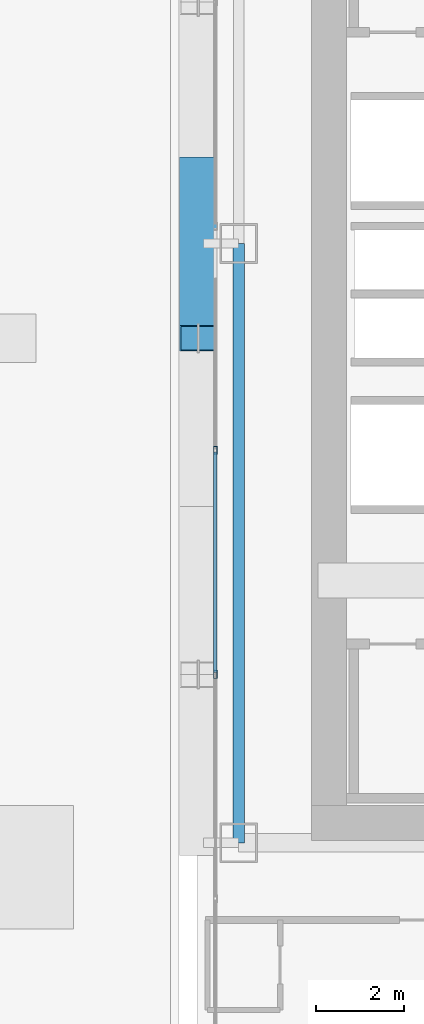
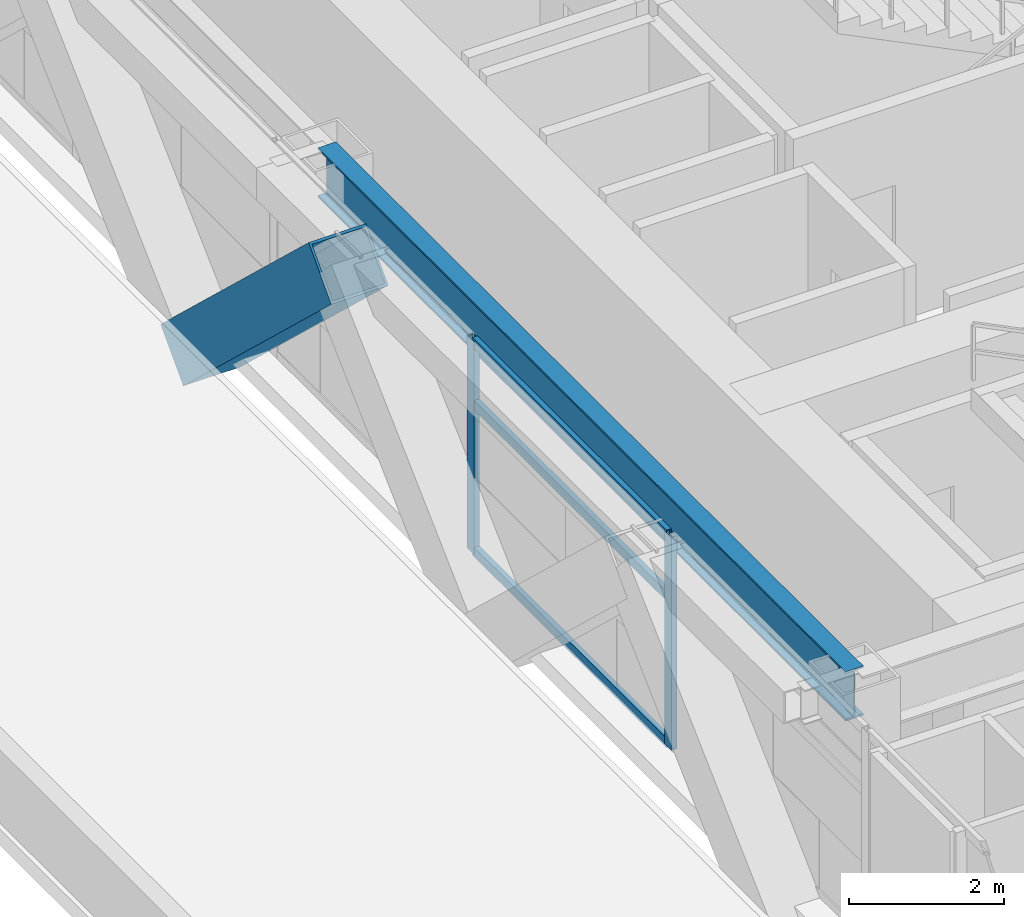
# One storey, part 6 of 35: 6 members, 1 beam, 1 element without a shape of its own.
"""IFC4 building model written with IfcOpenShell, lengths in metres."""

from ifc_helpers import new_model, si_unit, direction, frame, origin, origin_2d, place, context, subcontext, project, spatial, hollow_rectangle, i_section, extrude, source, transform, mapped, material, layer, layer_set, material_profile, profile_set, type_object, element, aggregate, save


model = new_model("IFC4")

# Units and contexts
model_context = context("Model", 3, precision=1e-05, world=origin(), true_north=direction((0.0, 1.0)))
body_context = subcontext(model_context, "Body", "Model", "MODEL_VIEW")
ifc_project = project(units=[si_unit("LENGTHUNIT", "METRE"), si_unit("AREAUNIT", "SQUARE_METRE"), si_unit("VOLUMEUNIT", "CUBIC_METRE"), si_unit("PLANEANGLEUNIT", "RADIAN"), si_unit("MASSUNIT", "GRAM", prefix="KILO")], contexts=[model_context])

# Site, building, storey
site_placement = place(None, origin())
site = spatial("IfcSite", under=ifc_project, at=site_placement, CompositionType="ELEMENT")
building_placement = place(site_placement, origin())
building = spatial("IfcBuilding", under=site, at=building_placement, Name="Ocotamira Hotel", CompositionType="ELEMENT")
storey_placement = place(building_placement, frame((0.0, 0.0, 34.800048828125)))
storey = spatial("IfcBuildingStorey", under=building, at=storey_placement, Name="L07", CompositionType="ELEMENT", Elevation=34.800048828125)

# Beam
ifc_material_1 = material(Name="Steel ASTM A992 Grade 50", Category="steel")
ifc_material_profile_1 = material_profile(ifc_material_1, i_section(OverallWidth=0.26611328125, OverallDepth=0.779052734375, WebThickness=0.0166015625, FlangeThickness=0.030029296875, FilletRadius=0.01806640625, at=origin_2d()), Name="W30X148")
ifc_profile_set_1 = profile_set([ifc_material_profile_1], Name="Steel ASTM A992 Grade 50")
beam_type = type_object("IfcBeamType", Name="BM-GIRD-W30X148", PredefinedType="BEAM", material=ifc_profile_set_1)
shared_shape_1 = source(origin(), body_context, "Body", "SweptSolid", [
    extrude(i_section(OverallWidth=0.26611328125, OverallDepth=0.779052734375, WebThickness=0.0166015625, FlangeThickness=0.030029296875, FilletRadius=0.01806640625, at=origin_2d()), origin(), (0.0, 0.0, 1.0), 13.599853515625),
])
beam_placement = place(storey_placement, frame((8.949951171875, 14.550048828125, 2.96044921875), z_axis=(0.0, 1.0, 0.0), x_axis=(-1.0, 0.0, 0.0)))
element("IfcBeam", 1, at=beam_placement, inside=storey, type_object=beam_type, Name="L07 Beam X8.95 Y14.55-28.15", PredefinedType="BEAM", context=body_context, shape_type="MappedRepresentation", body=[
    mapped(shared_shape_1, transform((0.0, 0.0, 0.0), scale=1.0)),
])

# Member
ifc_material_2 = material(Name="Pale-metal coated steel ASTM A913 Grade 65", Category="steel")
ifc_material_profile_2 = material_profile(ifc_material_2, hollow_rectangle(XDim=0.85009765625, YDim=0.85009765625, WallThickness=0.035888671875, at=origin_2d()), Name="BOX850X850X36")
ifc_profile_set_2 = profile_set([ifc_material_profile_2], Name="Pale-metal coated steel ASTM A913 Grade 65")
member_type_1 = type_object("IfcMemberType", Name="MEM-EXO-BOX850", PredefinedType="BRACE", material=ifc_profile_set_2)
shared_shape_2 = source(origin(), body_context, "Body", "SweptSolid", [
    extrude(hollow_rectangle(XDim=0.85009765625, YDim=0.85009765625, WallThickness=0.035888671875, at=origin_2d()), origin(), (0.0, 0.0, 1.0), 5.24658203125),
])
member_1_placement = place(storey_placement, frame((8.030029296875, 29.816650390625, -0.5), z_axis=(0.0, -0.72746596067, 0.686143772154), x_axis=(1.0, 0.0, 0.0)))
element("IfcMember", 2, at=member_1_placement, inside=storey, type_object=member_type_1, Name="L07 Exoskeleton Diagrid W1.2", PredefinedType="BRACE", context=body_context, shape_type="MappedRepresentation", body=[
    mapped(shared_shape_2, transform((0.0, 0.0, 0.0), scale=1.0)),
])

# Curtain wall, members
ifc_material_3 = material(Name="Anodised pale-metal aluminium and solar glass", Category="aluminium")
ifc_layer = layer(ifc_material_3, 0.179931640625)
ifc_layer_set = layer_set([ifc_layer], Name="Anodised pale-metal aluminium and solar glass")
curtain_wall_type = type_object("IfcCurtainWallType", Name="CW-SYS2-Z1", PredefinedType="NOTDEFINED", material=ifc_layer_set)
curtain_wall_placement = place(storey_placement, origin())
curtain_wall = element("IfcCurtainWall", 3, at=curtain_wall_placement, inside=storey, type_object=curtain_wall_type, Name="L07 Curtain Wall CW-2 CW-L07-W", PredefinedType="NOTDEFINED")
ifc_material_4 = material(Name="Anodised pale-metal aluminium 6063-T6", Category="aluminium")
ifc_material_profile_3 = material_profile(ifc_material_4, hollow_rectangle(XDim=0.080078125, YDim=0.179931640625, WallThickness=0.006103515625, at=origin_2d()), Name="HSS180X80X6")
ifc_profile_set_3 = profile_set([ifc_material_profile_3], Name="Anodised pale-metal aluminium 6063-T6")
member_type_2 = type_object("IfcMemberType", Name="CWM-180X75", PredefinedType="MULLION", material=ifc_profile_set_3)
shared_shape_3 = source(origin(), body_context, "Body", "SweptSolid", [
    extrude(hollow_rectangle(XDim=0.080078125, YDim=0.179931640625, WallThickness=0.006103515625, at=origin_2d()), origin(), (0.0, 0.0, 1.0), 3.349853515625),
])
member_2_placement = place(storey_placement, frame((8.419921875, 18.371337890625, 0.0), z_axis=(0.0, 0.0, 1.0), x_axis=(-1.0, 0.0, 0.0)))
member_2 = element("IfcMember", 4, at=member_2_placement, type_object=member_type_2, Name="CW-2 mullion 3", PredefinedType="MULLION", context=body_context, shape_type="MappedRepresentation", body=[
    mapped(shared_shape_3, transform((0.0, 0.0, 0.0), scale=1.0)),
])
member_3_placement = place(storey_placement, frame((8.419921875, 23.45703125, 0.0), z_axis=(0.0, 0.0, 1.0), x_axis=(-1.0, 0.0, 0.0)))
member_3 = element("IfcMember", 5, at=member_3_placement, type_object=member_type_2, Name="CW-2 mullion 4", PredefinedType="MULLION", context=body_context, shape_type="MappedRepresentation", body=[
    mapped(shared_shape_3, transform((0.0, 0.0, 0.0), scale=1.0)),
])
ifc_material_profile_4 = material_profile(ifc_material_4, hollow_rectangle(XDim=0.074951171875, YDim=0.14990234375, WallThickness=0.006103515625, at=origin_2d()), Name="HSS150X75X6")
ifc_profile_set_4 = profile_set([ifc_material_profile_4], Name="Anodised pale-metal aluminium 6063-T6")
member_type_3 = type_object("IfcMemberType", Name="CWT-150X75", PredefinedType="USERDEFINED", material=ifc_profile_set_4)
shared_shape_4 = source(origin(), body_context, "Body", "SweptSolid", [
    extrude(hollow_rectangle(XDim=0.074951171875, YDim=0.14990234375, WallThickness=0.006103515625, at=origin_2d()), origin(), (0.0, 0.0, 1.0), 5.005859375),
])
member_4_placement = place(storey_placement, frame((8.419921875, 18.411376953125, 0.037353515625), z_axis=(0.0, 1.0, 0.0), x_axis=(-1.0, 0.0, 0.0)))
member_4 = element("IfcMember", 6, at=member_4_placement, type_object=member_type_3, Name="CW-2 transom 3.1", ObjectType="TRANSOM", PredefinedType="USERDEFINED", context=body_context, shape_type="MappedRepresentation", body=[
    mapped(shared_shape_4, transform((0.0, 0.0, 0.0), scale=1.0)),
])
member_5_placement = place(storey_placement, frame((8.419921875, 18.411376953125, 2.349853515625), z_axis=(0.0, 1.0, 0.0), x_axis=(-1.0, 0.0, 0.0)))
member_5 = element("IfcMember", 7, at=member_5_placement, type_object=member_type_3, Name="CW-2 transom 3.2", ObjectType="TRANSOM", PredefinedType="USERDEFINED", context=body_context, shape_type="MappedRepresentation", body=[
    mapped(shared_shape_4, transform((0.0, 0.0, 0.0), scale=1.0)),
])
member_6_placement = place(storey_placement, frame((8.419921875, 18.411376953125, 3.3125), z_axis=(0.0, 1.0, 0.0), x_axis=(-1.0, 0.0, 0.0)))
member_6 = element("IfcMember", 8, at=member_6_placement, type_object=member_type_3, Name="CW-2 transom 3.3", ObjectType="TRANSOM", PredefinedType="USERDEFINED", context=body_context, shape_type="MappedRepresentation", body=[
    mapped(shared_shape_4, transform((0.0, 0.0, 0.0), scale=1.0)),
])
aggregate(curtain_wall, [member_2, member_3, member_4, member_5, member_6])

save(model, "model.ifc")
